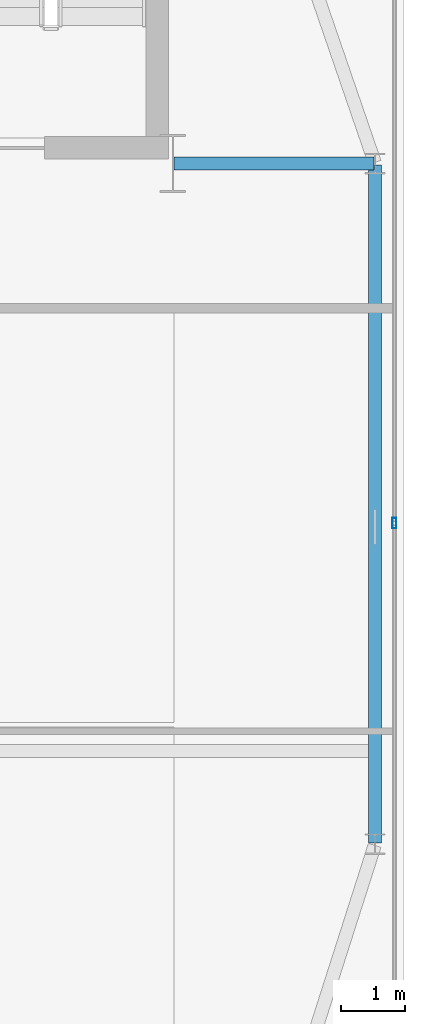
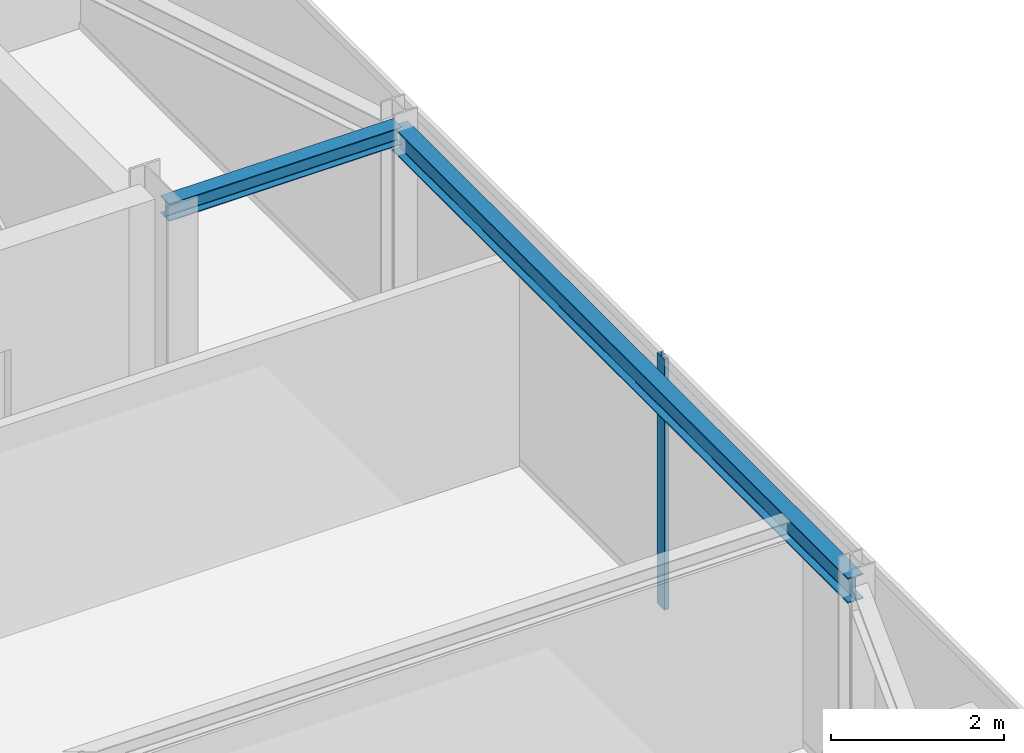
# One storey, part 14 of 24: 2 beams, 1 member, 1 element without a shape of its own.
"""IFC4 building model written with IfcOpenShell, lengths in metres."""

import ifcopenshell
import ifcopenshell.guid

model = None  # the IFC model being written
_history = None  # IfcOwnerHistory: only IFC2X3 demands one
_inside = {}  # id of a spatial element -> (the spatial element, [elements in it])
_under = {}  # id of a project, library or spatial element -> (it, [spatial elements below it])
_declared = {}  # id of a project -> (the project, [libraries it declares])
_typed = {}  # id of a type object -> (the type object, [elements of that type])
_made_of = {}  # id of a material, layer set ... -> (it, [elements and type objects made of it])


def new_model(schema):
    """Start an empty IFC model of exactly this schema.

    Asked for "IFC4X3", IfcOpenShell would pick the latest addendum, in which some entities
    have other attributes; the version numbers below select the first issue.
    IFC2X3 requires an IfcOwnerHistory on every rooted entity: one is made here for all.
    """
    global model, _history
    if schema == "IFC4X3":
        model = ifcopenshell.file(schema_version=(4, 3, 0, 0))
    else:
        model = ifcopenshell.file(schema=schema)
    _inside.clear()
    _under.clear()
    _declared.clear()
    _typed.clear()
    _made_of.clear()
    _history = None
    if model.schema == "IFC2X3":
        org = make("IfcOrganization", Name="unknown")
        user = make(
            "IfcPersonAndOrganization",
            ThePerson=make("IfcPerson", FamilyName="unknown"),
            TheOrganization=org,
        )
        app = make(
            "IfcApplication",
            ApplicationDeveloper=org,
            Version="unknown",
            ApplicationFullName="unknown",
            ApplicationIdentifier="unknown",
        )
        _history = make(
            "IfcOwnerHistory",
            OwningUser=user,
            OwningApplication=app,
            ChangeAction="ADDED",
            CreationDate=0,
        )
    return model


def make(cls, **values):
    """One entity of the class cls with the attributes given. An attribute that is None is left unset."""
    return model.create_entity(
        cls, **{name: value for name, value in values.items() if value is not None}
    )


def rooted(cls, **values):
    """An entity with a GlobalId (a new one), such as an element, a storey or a relation."""
    return make(cls, GlobalId=ifcopenshell.guid.new(), OwnerHistory=_history, **values)


def si_unit(unit_type, name, prefix=None):
    """IfcSIUnit, for example si_unit("LENGTHUNIT", "METRE", prefix="MILLI")."""
    return make("IfcSIUnit", UnitType=unit_type, Prefix=prefix, Name=name)


def assignment(units):
    """IfcUnitAssignment: the units of a project."""
    return None if units is None else make("IfcUnitAssignment", Units=units)


def point(xyz):
    """IfcCartesianPoint."""
    return None if xyz is None else make("IfcCartesianPoint", Coordinates=xyz)


def direction(xyz):
    """IfcDirection."""
    return None if xyz is None else make("IfcDirection", DirectionRatios=xyz)


def frame(location, z_axis=None, x_axis=None):
    """IfcAxis2Placement3D, a coordinate frame: its origin and axes. An axis left out is left unset."""
    return make(
        "IfcAxis2Placement3D",
        Location=point(location),
        Axis=direction(z_axis),
        RefDirection=direction(x_axis),
    )


def frame_2d(location, x_axis=None):
    """IfcAxis2Placement2D, a coordinate frame in the plane: its origin and x axis."""
    return make(
        "IfcAxis2Placement2D", Location=point(location), RefDirection=direction(x_axis)
    )


def origin():
    """The frame at (0, 0, 0) with its axes left unset."""
    return frame((0.0, 0.0, 0.0))


def origin_2d():
    """The frame at (0, 0) in the plane with its x axis left unset."""
    return frame_2d((0.0, 0.0))


def place(relative_to, where):
    """IfcLocalPlacement: puts the frame where relative to a parent placement (None: the world)."""
    return make(
        "IfcLocalPlacement", PlacementRelTo=relative_to, RelativePlacement=where
    )


def context(
    kind, dimensions, precision=None, world=None, true_north=None, identifier=None
):
    """IfcGeometricRepresentationContext, for example the 3D "Model" context."""
    return make(
        "IfcGeometricRepresentationContext",
        ContextIdentifier=identifier,
        ContextType=kind,
        CoordinateSpaceDimension=dimensions,
        Precision=precision,
        WorldCoordinateSystem=world,
        TrueNorth=true_north,
    )


def subcontext(parent, identifier, kind, view, scale=None):
    """IfcGeometricRepresentationSubContext, for example "Body" below "Model"."""
    return make(
        "IfcGeometricRepresentationSubContext",
        ContextIdentifier=identifier,
        ContextType=kind,
        ParentContext=parent,
        TargetScale=scale,
        TargetView=view,
    )


def project(units=None, contexts=None):
    """IfcProject with its units and contexts."""
    return rooted(
        "IfcProject",
        Name="project",
        RepresentationContexts=contexts,
        UnitsInContext=assignment(units),
    )


def spatial(cls, under=None, at=None, **own):
    """A site, building, storey or space (cls), placed at a placement, below another one or the project."""
    s = rooted(cls, ObjectPlacement=at, **own)
    if under is not None:
        _under.setdefault(under.id(), (under, []))[1].append(s)
    return s


def profile(cls, at=None, kind="AREA", **sizes):
    """A parametric profile (cls). Its sizes go by their IFC names, for example OverallWidth=200.0."""
    return make(cls, ProfileType=kind, Position=at, **sizes)


def hollow_rectangle(**sizes):
    """IfcRectangleHollowProfileDef."""
    return profile("IfcRectangleHollowProfileDef", **sizes)


def i_section(**sizes):
    """IfcIShapeProfileDef."""
    return profile("IfcIShapeProfileDef", **sizes)


def extrude(swept, where, along, depth):
    """IfcExtrudedAreaSolid: the profile swept, set in the frame where, extruded along a direction by depth."""
    return make(
        "IfcExtrudedAreaSolid",
        SweptArea=swept,
        Position=where,
        ExtrudedDirection=direction(along),
        Depth=depth,
    )


def shape(context_of_items, identifier, shape_type, items):
    """IfcShapeRepresentation: the items that make up one representation, for example the "Body"."""
    return make(
        "IfcShapeRepresentation",
        ContextOfItems=context_of_items,
        RepresentationIdentifier=identifier,
        RepresentationType=shape_type,
        Items=items,
    )


def source(mapping_origin, context_of_items, identifier, shape_type, items):
    """IfcRepresentationMap: a shape defined once, which mapped items show again and again."""
    return make(
        "IfcRepresentationMap",
        MappingOrigin=mapping_origin,
        MappedRepresentation=shape(context_of_items, identifier, shape_type, items),
    )


def transform(
    local_origin,
    x_axis=None,
    y_axis=None,
    z_axis=None,
    scale=None,
    scale2=None,
    scale3=None,
    uniform=True,
):
    """IfcCartesianTransformationOperator3D, or its non-uniform kind. x_axis, y_axis, z_axis: its Axis1, 2, 3."""
    if uniform:
        return make(
            "IfcCartesianTransformationOperator3D",
            Axis1=direction(x_axis),
            Axis2=direction(y_axis),
            LocalOrigin=point(local_origin),
            Scale=scale,
            Axis3=direction(z_axis),
        )
    return make(
        "IfcCartesianTransformationOperator3DnonUniform",
        Axis1=direction(x_axis),
        Axis2=direction(y_axis),
        LocalOrigin=point(local_origin),
        Scale=scale,
        Axis3=direction(z_axis),
        Scale2=scale2,
        Scale3=scale3,
    )


def mapped(mapping_source, mapping_target):
    """IfcMappedItem: shows the shape of a source again, moved by a transform."""
    return make(
        "IfcMappedItem", MappingSource=mapping_source, MappingTarget=mapping_target
    )


def material(Name=None, Category=None):
    """IfcMaterial."""
    return make("IfcMaterial", Name=Name, Category=Category)


def layer(
    of_material, thickness, ventilated=None, Name=None, Category=None, Priority=None
):
    """IfcMaterialLayer: one layer of a wall or slab, of a material (None: an air gap)."""
    return make(
        "IfcMaterialLayer",
        Material=of_material,
        LayerThickness=thickness,
        IsVentilated=ventilated,
        Name=Name,
        Category=Category,
        Priority=Priority,
    )


def layer_set(layers, Name=None):
    """IfcMaterialLayerSet."""
    return make("IfcMaterialLayerSet", MaterialLayers=layers, LayerSetName=Name)


def material_profile(
    of_material, cross_section, Name=None, Category=None, Priority=None
):
    """IfcMaterialProfile: a cross section and its material."""
    return make(
        "IfcMaterialProfile",
        Name=Name,
        Material=of_material,
        Profile=cross_section,
        Priority=Priority,
        Category=Category,
    )


def profile_set(profiles, Name=None, composite=None):
    """IfcMaterialProfileSet."""
    return make(
        "IfcMaterialProfileSet",
        Name=Name,
        MaterialProfiles=profiles,
        CompositeProfile=composite,
    )


def made_of(thing, what):
    """Note that an element or type object is made of a material, layer set ...; save() writes the relation."""
    if what is not None:
        _made_of.setdefault(what.id(), (what, []))[1].append(thing)
    return thing


def type_object(cls, material=None, **own):
    """A type object (cls), such as IfcWallType, which elements share."""
    return made_of(rooted(cls, **own), material)


def type_shapes(of_type, sources):
    """Give a type object the sources (RepresentationMaps) that its elements show as mapped items."""
    of_type.RepresentationMaps = sources


def element(
    cls,
    number,
    at=None,
    inside=None,
    cuts=None,
    type_object=None,
    material=None,
    context=None,
    identifier="Body",
    shape_type=None,
    held_by="IfcProductDefinitionShape",
    body=None,
    shapes=None,
    **own,
):
    """One element of the class cls, such as IfcWall. Its Tag is "e" and its number.

    at: its placement. inside: the storey or other place that contains it. cuts: it is an
    opening in that element (IfcRelVoidsElement). A single representation is given by context,
    identifier, shape_type and body (its items); several are given by shapes. held_by: the class
    of the entity that holds the representations. save() writes the other relations.
    """
    e = rooted(cls, Tag="e%d" % number, ObjectPlacement=at, **own)
    if body is not None:
        shapes = [shape(context, identifier, shape_type, body)]
    if shapes is not None:
        e.Representation = make(held_by, Representations=shapes)
    if inside is not None:
        _inside.setdefault(inside.id(), (inside, []))[1].append(e)
    if cuts is not None:
        rooted(
            "IfcRelVoidsElement", RelatingBuildingElement=cuts, RelatedOpeningElement=e
        )
    if type_object is not None:
        _typed.setdefault(type_object.id(), (type_object, []))[1].append(e)
    return made_of(e, material)


def aggregate(whole, parts):
    """IfcRelAggregates: a whole, such as a stair, and the parts it consists of."""
    return rooted("IfcRelAggregates", RelatingObject=whole, RelatedObjects=parts)


def save(model, path):
    """Write the relations noted so far, then the file.

    IfcRelAggregates (storeys below a building ...), IfcRelContainedInSpatialStructure (elements
    in a storey), IfcRelDefinesByType, IfcRelAssociatesMaterial and IfcRelDeclares: one each for
    every whole, place, type object, material and project.
    """
    for whole, parts in _under.values():
        aggregate(whole, parts)
    for where, things in _inside.values():
        rooted(
            "IfcRelContainedInSpatialStructure",
            RelatedElements=things,
            RelatingStructure=where,
        )
    for kind, things in _typed.values():
        rooted("IfcRelDefinesByType", RelatedObjects=things, RelatingType=kind)
    for what, things in _made_of.values():
        rooted("IfcRelAssociatesMaterial", RelatedObjects=things, RelatingMaterial=what)
    for by, libraries in _declared.values():
        rooted("IfcRelDeclares", RelatingContext=by, RelatedDefinitions=libraries)
    model.write(path)


model = new_model("IFC4")

# Units and contexts
model_context = context("Model", 3, precision=1e-05, world=origin(), true_north=direction((0.0, 1.0)))
body_context = subcontext(model_context, "Body", "Model", "MODEL_VIEW")
ifc_project = project(units=[si_unit("LENGTHUNIT", "METRE"), si_unit("AREAUNIT", "SQUARE_METRE"), si_unit("VOLUMEUNIT", "CUBIC_METRE"), si_unit("PLANEANGLEUNIT", "RADIAN"), si_unit("MASSUNIT", "GRAM", prefix="KILO")], contexts=[model_context])

# Site, building, storey
site_placement = place(None, origin())
site = spatial("IfcSite", under=ifc_project, at=site_placement, CompositionType="ELEMENT")
building_placement = place(site_placement, origin())
building = spatial("IfcBuilding", under=site, at=building_placement, Name="Varnel Quay Broadcast Tower", CompositionType="ELEMENT")
storey_placement = place(building_placement, frame((0.0, 0.0, 281.199951171875)))
storey = spatial("IfcBuildingStorey", under=building, at=storey_placement, Name="L70", CompositionType="ELEMENT", Elevation=281.199951171875)

# Beams
ifc_material_1 = material(Name="Structural Steel CSA G40.21 350W", Category="steel")
ifc_material_profile_1 = material_profile(ifc_material_1, i_section(OverallWidth=0.205078125, OverallDepth=0.35400390625, WebThickness=0.009521484375, FlangeThickness=0.016845703125, FilletRadius=0.012939453125, at=origin_2d()), Name="W360X79")
ifc_profile_set_1 = profile_set([ifc_material_profile_1], Name="Structural Steel CSA G40.21 350W")
beam_type_1 = type_object("IfcBeamType", Name="Beam_W360X79", PredefinedType="SPANDREL", material=ifc_profile_set_1)
shared_shape_1 = source(origin(), body_context, "Body", "SweptSolid", [
    extrude(i_section(OverallWidth=0.205078125, OverallDepth=0.35400390625, WebThickness=0.009521484375, FlangeThickness=0.016845703125, FilletRadius=0.012939453125, at=origin_2d()), origin(), (0.0, 0.0, 1.0), 10.56005859375),
])
type_shapes(beam_type_1, [shared_shape_1])
beam_1_placement = place(storey_placement, frame((55.550048828125, 25.02001953125, 3.373046875), z_axis=(0.0, 1.0, 0.0), x_axis=(-1.0, 0.0, 0.0)))
element("IfcBeam", 1, at=beam_1_placement, inside=storey, type_object=beam_type_1, Name="L70 East Spandrel TC-E1-TC-E2", PredefinedType="SPANDREL", context=body_context, shape_type="MappedRepresentation", body=[
    mapped(shared_shape_1, transform((0.0, 0.0, 0.0), x_axis=(1.0, 0.0, 0.0), y_axis=(0.0, 1.0, 0.0), z_axis=(0.0, 0.0, 1.0), scale=1.0)),
])
ifc_material_profile_2 = material_profile(ifc_material_1, i_section(OverallWidth=0.201904296875, OverallDepth=0.2470703125, WebThickness=0.00732421875, FlangeThickness=0.010986328125, FilletRadius=0.010986328125, at=origin_2d()), Name="W250X49")
ifc_profile_set_2 = profile_set([ifc_material_profile_2], Name="Structural Steel CSA G40.21 350W")
beam_type_2 = type_object("IfcBeamType", Name="Beam_W250X49", PredefinedType="JOIST", material=ifc_profile_set_2)
shared_shape_2 = source(origin(), body_context, "Body", "SweptSolid", [
    extrude(i_section(OverallWidth=0.201904296875, OverallDepth=0.2470703125, WebThickness=0.00732421875, FlangeThickness=0.010986328125, FilletRadius=0.010986328125, at=origin_2d()), origin(), (0.0, 0.0, 1.0), 3.110107421875),
])
type_shapes(beam_type_2, [shared_shape_2])
beam_2_placement = place(storey_placement, frame((52.419921875, 35.60009765625, 3.426513671875), z_axis=(1.0, 0.0, 0.0), x_axis=(0.0, 1.0, 0.0)))
element("IfcBeam", 2, at=beam_2_placement, inside=storey, type_object=beam_type_2, Name="L70 East Core Tie Joist", PredefinedType="JOIST", context=body_context, shape_type="MappedRepresentation", body=[
    mapped(shared_shape_2, transform((0.0, 0.0, 0.0), x_axis=(1.0, 0.0, 0.0), y_axis=(0.0, 1.0, 0.0), z_axis=(0.0, 0.0, 1.0), scale=1.0)),
])

# Curtain wall, member
ifc_material_2 = material(Name="Anodised Bronze Aluminium 6063-T6", Category="aluminium")
ifc_layer = layer(ifc_material_2, 0.18994140625, Name="Anodised Bronze Aluminium 6063-T6")
ifc_layer_set = layer_set([ifc_layer], Name="Anodised Bronze Aluminium 6063-T6")
curtain_wall_type = type_object("IfcCurtainWallType", Name="CW_UpperTower", PredefinedType="NOTDEFINED", material=ifc_layer_set)
curtain_wall_placement = place(storey_placement, origin())
curtain_wall = element("IfcCurtainWall", 3, at=curtain_wall_placement, inside=storey, type_object=curtain_wall_type, Name="L70 East Unitised Curtain Wall", PredefinedType="NOTDEFINED")
ifc_material_profile_3 = material_profile(ifc_material_2, hollow_rectangle(XDim=0.06494140625, YDim=0.1650390625, WallThickness=0.00341796875, at=origin_2d()), Name="ALU65X165X3.5")
ifc_profile_set_3 = profile_set([ifc_material_profile_3], Name="Anodised Bronze Aluminium 6063-T6")
member_type = type_object("IfcMemberType", Name="Mull_CWS-03", PredefinedType="MULLION", material=ifc_profile_set_3)
shared_shape_3 = source(origin(), body_context, "Body", "SweptSolid", [
    extrude(hollow_rectangle(XDim=0.06494140625, YDim=0.1650390625, WallThickness=0.00341796875, at=origin_2d()), origin(), (0.0, 0.0, 1.0), 3.550048828125),
])
type_shapes(member_type, [shared_shape_3])
member_placement = place(storey_placement, frame((55.85009765625, 30.0, 0.0), z_axis=(0.0, 0.0, 1.0), x_axis=(-1.0, 0.0, 0.0)))
member = element("IfcMember", 4, at=member_placement, type_object=member_type, Name="CWS-03 mullion 2", PredefinedType="MULLION", context=body_context, shape_type="MappedRepresentation", body=[
    mapped(shared_shape_3, transform((0.0, 0.0, 0.0), x_axis=(1.0, 0.0, 0.0), y_axis=(0.0, 1.0, 0.0), z_axis=(0.0, 0.0, 1.0), scale=1.0)),
])
aggregate(curtain_wall, [member])

save(model, "model.ifc")
